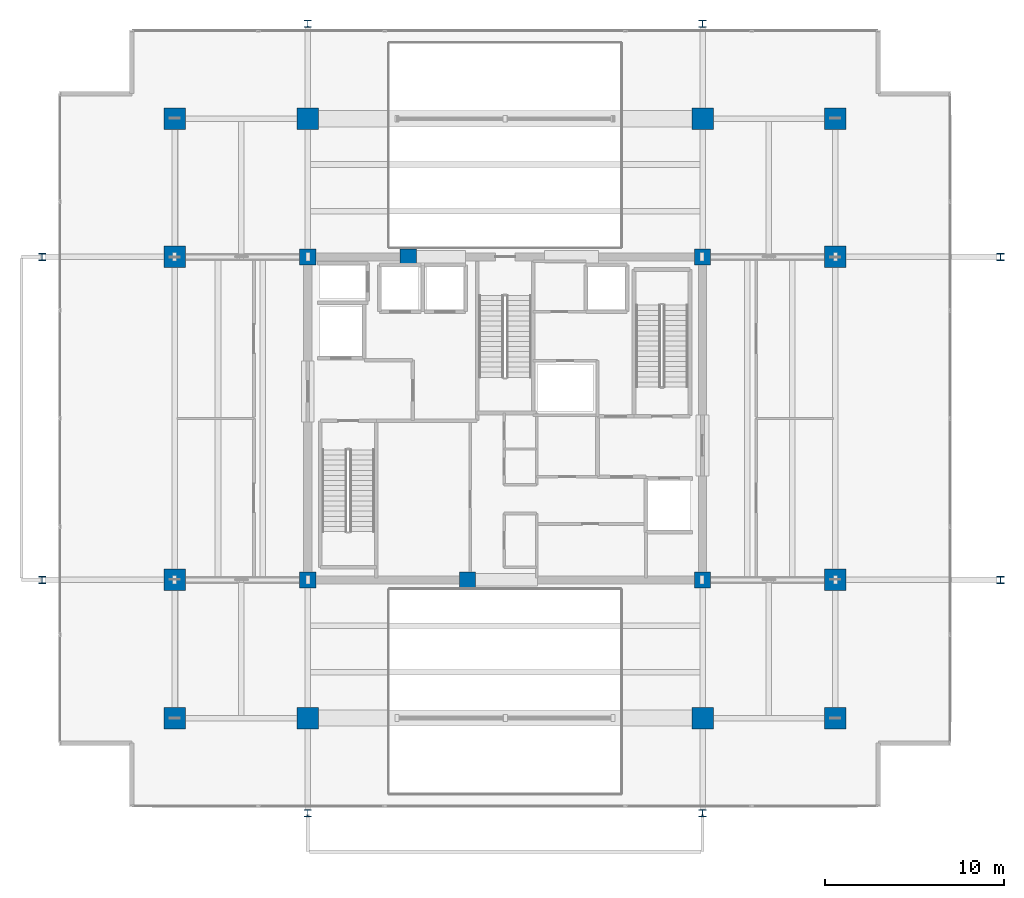
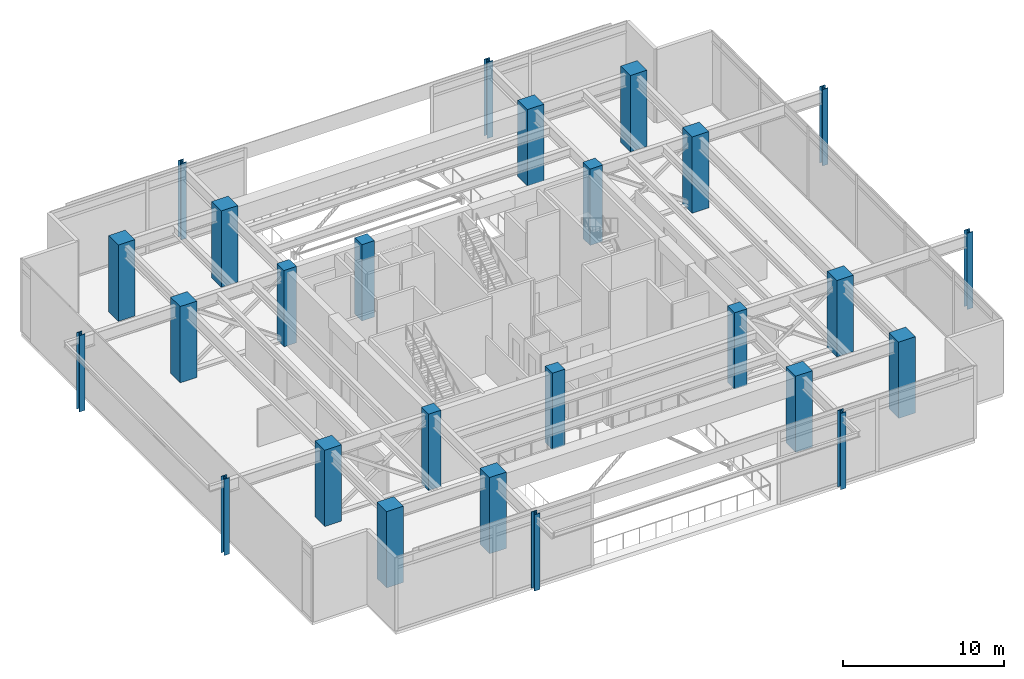
# One storey, part 1 of 26: 26 columns.
"""IFC4 building model written with IfcOpenShell, lengths in metres."""

from ifc_helpers import new_model, si_unit, direction, frame, origin, origin_2d, place, context, subcontext, project, spatial, rectangle, i_section, extrude, material, material_profile, profile_set, type_object, element, save


model = new_model("IFC4")

# Units and contexts
model_context = context("Model", 3, precision=1e-05, world=origin(), true_north=direction((0.0, 1.0)))
body_context = subcontext(model_context, "Body", "Model", "MODEL_VIEW")
ifc_project = project(units=[si_unit("LENGTHUNIT", "METRE"), si_unit("AREAUNIT", "SQUARE_METRE"), si_unit("VOLUMEUNIT", "CUBIC_METRE"), si_unit("PLANEANGLEUNIT", "RADIAN"), si_unit("MASSUNIT", "GRAM", prefix="KILO")], contexts=[model_context])

# Site, building, storey
site_placement = place(None, origin())
site = spatial("IfcSite", under=ifc_project, at=site_placement, CompositionType="ELEMENT")
building_placement = place(site_placement, origin())
building = spatial("IfcBuilding", under=site, at=building_placement, Name="Kovane Verandah Tower", CompositionType="ELEMENT")
storey_placement = place(building_placement, frame((0.0, 0.0, 301.0)))
storey = spatial("IfcBuildingStorey", under=building, at=storey_placement, Name="L70", CompositionType="ELEMENT", Elevation=301.0)

# Columns
ifc_material_1 = material(Name="Concrete C60/75", Category="concrete")
ifc_material_profile_1 = material_profile(ifc_material_1, rectangle(XDim=1.199951171875, YDim=1.199951171875, at=origin_2d()), Name="RC1200x1200")
ifc_profile_set_1 = profile_set([ifc_material_profile_1], Name="Concrete C60/75")
column_type_1 = type_object("IfcColumnType", Name="COL-RC1200", PredefinedType="COLUMN", material=ifc_profile_set_1)
for number, where, z_axis, x_axis, name in (
    (1, (29.0, 10.800048828125, 0.0), (0.0, 0.0, 1.0), (1.0, 0.0, 0.0), "L70 Tower Mega-Column MC-S1"),
    (2, (51.0, 10.800048828125, 0.0), (0.0, 0.0, 1.0), (1.0, 0.0, 0.0), "L70 Tower Mega-Column MC-S2"),
    (3, (29.0, 44.199951171875, 0.0), (0.0, 0.0, 1.0), (1.0, 0.0, 0.0), "L70 Tower Mega-Column MC-N1"),
    (4, (51.0, 44.199951171875, 0.0), (0.0, 0.0, 1.0), (1.0, 0.0, 0.0), "L70 Tower Mega-Column MC-N2"),
    (5, (21.60009765625, 18.5, 0.0), (0.0, 0.0, 1.0), (1.0, 0.0, 0.0), "L70 Tower Mega-Column MC-W1"),
    (6, (21.60009765625, 36.5, 0.0), (0.0, 0.0, 1.0), (1.0, 0.0, 0.0), "L70 Tower Mega-Column MC-W2"),
    (7, (58.39990234375, 18.5, 0.0), (0.0, 0.0, 1.0), (1.0, 0.0, 0.0), "L70 Tower Mega-Column MC-E1"),
    (8, (58.39990234375, 36.5, 0.0), (0.0, 0.0, 1.0), (1.0, 0.0, 0.0), "L70 Tower Mega-Column MC-E2"),
    (9, (21.60009765625, 10.800048828125, 0.0), (0.0, 0.0, 1.0), (1.0, 0.0, 0.0), "L70 Tower Mega-Column MC-SW"),
    (10, (58.39990234375, 10.800048828125, 0.0), (0.0, 0.0, 1.0), (1.0, 0.0, 0.0), "L70 Tower Mega-Column MC-SE"),
    (11, (21.60009765625, 44.199951171875, 0.0), (0.0, 0.0, 1.0), (1.0, 0.0, 0.0), "L70 Tower Mega-Column MC-NW"),
    (12, (58.39990234375, 44.199951171875, 0.0), (0.0, 0.0, 1.0), (1.0, 0.0, 0.0), "L70 Tower Mega-Column MC-NE"),
):
    element("IfcColumn", number, at=place(storey_placement, frame(where, z_axis=z_axis, x_axis=x_axis)), inside=storey, type_object=column_type_1, Name=name, PredefinedType="COLUMN", context=body_context, shape_type="SweptSolid", body=[
        extrude(rectangle(XDim=1.199951171875, YDim=1.199951171875, at=origin_2d()), origin(), (0.0, 0.0, 1.0), 5.800048828125),
    ])
ifc_material_2 = material(Name="Steel S460", Category="steel")
ifc_material_profile_2 = material_profile(ifc_material_2, i_section(OverallWidth=0.403076171875, OverallDepth=0.406494140625, WebThickness=0.026611328125, FlangeThickness=0.04296875, FilletRadius=0.01513671875, at=origin_2d()), Name="UC356x406x340")
ifc_profile_set_2 = profile_set([ifc_material_profile_2], Name="Steel S460")
column_type_2 = type_object("IfcColumnType", Name="COL-UC340", PredefinedType="COLUMN", material=ifc_profile_set_2)
for number, where, z_axis, x_axis, name in (
    (13, (14.199951171875, 18.5, 0.0), (0.0, 0.0, 1.0), (1.0, 0.0, 0.0), "L70 Verandah Perimeter Column VC-W1"),
    (14, (14.199951171875, 36.5, 0.0), (0.0, 0.0, 1.0), (1.0, 0.0, 0.0), "L70 Verandah Perimeter Column VC-W2"),
    (15, (67.60009765625, 18.5, 0.0), (0.0, 0.0, 1.0), (1.0, 0.0, 0.0), "L70 Verandah Perimeter Column VC-E1"),
    (16, (67.60009765625, 36.5, 0.0), (0.0, 0.0, 1.0), (1.0, 0.0, 0.0), "L70 Verandah Perimeter Column VC-E2"),
    (17, (29.0, 5.5, 0.0), (0.0, 0.0, 1.0), (1.0, 0.0, 0.0), "L70 Verandah Perimeter Column VC-S1"),
    (18, (51.0, 5.5, 0.0), (0.0, 0.0, 1.0), (1.0, 0.0, 0.0), "L70 Verandah Perimeter Column VC-S2"),
    (19, (29.0, 49.5, 0.0), (0.0, 0.0, 1.0), (1.0, 0.0, 0.0), "L70 Verandah Perimeter Column VC-N1"),
    (20, (51.0, 49.5, 0.0), (0.0, 0.0, 1.0), (1.0, 0.0, 0.0), "L70 Verandah Perimeter Column VC-N2"),
):
    element("IfcColumn", number, at=place(storey_placement, frame(where, z_axis=z_axis, x_axis=x_axis)), inside=storey, type_object=column_type_2, Name=name, PredefinedType="COLUMN", context=body_context, shape_type="SweptSolid", body=[
        extrude(i_section(OverallWidth=0.403076171875, OverallDepth=0.406494140625, WebThickness=0.026611328125, FlangeThickness=0.04296875, FilletRadius=0.01513671875, at=origin_2d()), origin(), (0.0, 0.0, 1.0), 5.800048828125),
    ])
ifc_material_profile_3 = material_profile(ifc_material_1, rectangle(XDim=0.89990234375, YDim=0.89990234375, at=origin_2d()), Name="RC900x900")
ifc_profile_set_3 = profile_set([ifc_material_profile_3], Name="Concrete C60/75")
column_type_3 = type_object("IfcColumnType", Name="PIL-RC900", PredefinedType="PILASTER", material=ifc_profile_set_3)
for number, where, z_axis, x_axis, name in (
    (21, (29.0, 18.5, 0.0), (0.0, 0.0, 1.0), (1.0, 0.0, 0.0), "L70 Core Pilaster CP-SW"),
    (22, (51.0, 18.5, 0.0), (0.0, 0.0, 1.0), (1.0, 0.0, 0.0), "L70 Core Pilaster CP-SE"),
    (23, (29.0, 36.5, 0.0), (0.0, 0.0, 1.0), (1.0, 0.0, 0.0), "L70 Core Pilaster CP-NW"),
    (24, (51.0, 36.5, 0.0), (0.0, 0.0, 1.0), (1.0, 0.0, 0.0), "L70 Core Pilaster CP-NE"),
    (25, (37.89990234375, 18.5, 0.0), (0.0, 0.0, 1.0), (1.0, 0.0, 0.0), "L70 Core Pilaster CP-S"),
    (26, (34.60009765625, 36.5, 0.0), (0.0, 0.0, 1.0), (1.0, 0.0, 0.0), "L70 Core Pilaster CP-N"),
):
    element("IfcColumn", number, at=place(storey_placement, frame(where, z_axis=z_axis, x_axis=x_axis)), inside=storey, type_object=column_type_3, Name=name, PredefinedType="PILASTER", context=body_context, shape_type="SweptSolid", body=[
        extrude(rectangle(XDim=0.89990234375, YDim=0.89990234375, at=origin_2d()), origin(), (0.0, 0.0, 1.0), 5.800048828125),
    ])

save(model, "model.ifc")
